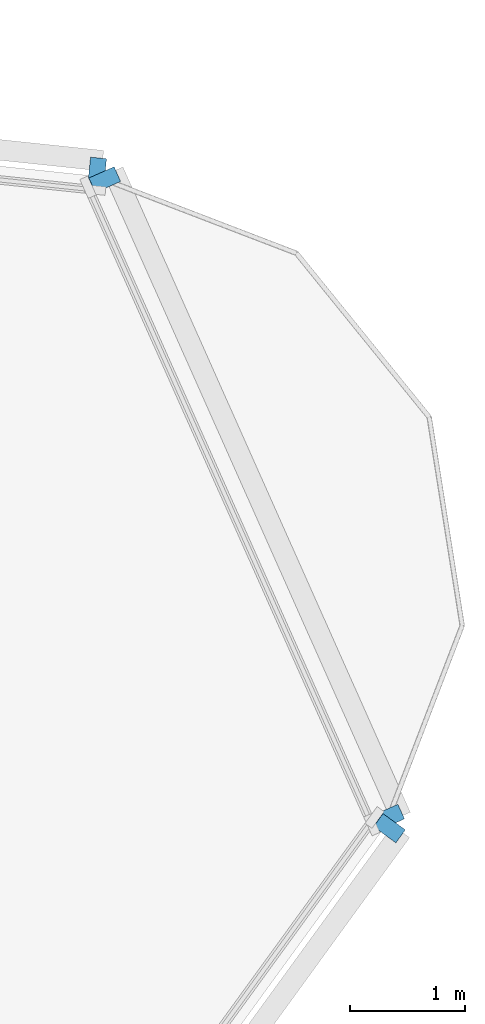
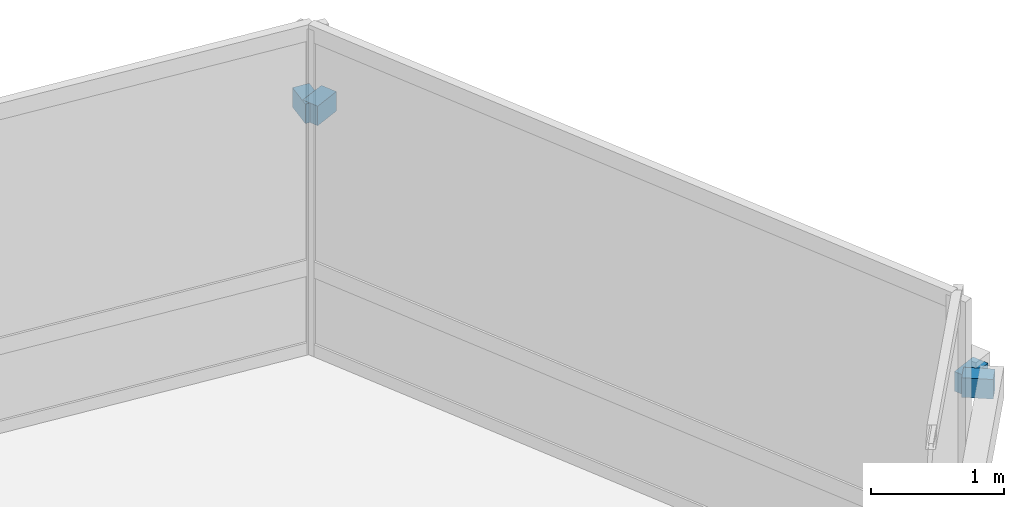
# One storey, part 11 of 14: 4 discrete accessories.
"""IFC4 building model written with IfcOpenShell, lengths in metres."""

from ifc_helpers import new_model, si_unit, direction, frame, origin, origin_2d, place, context, subcontext, project, spatial, rectangle, extrude, material, type_object, element, save


model = new_model("IFC4")

# Units and contexts
model_context = context("Model", 3, precision=1e-05, world=origin(), true_north=direction((0.0, 1.0)))
body_context = subcontext(model_context, "Body", "Model", "MODEL_VIEW")
ifc_project = project(units=[si_unit("LENGTHUNIT", "METRE"), si_unit("AREAUNIT", "SQUARE_METRE"), si_unit("VOLUMEUNIT", "CUBIC_METRE"), si_unit("PLANEANGLEUNIT", "RADIAN"), si_unit("MASSUNIT", "GRAM", prefix="KILO")], contexts=[model_context])

# Site, building, storey
site_placement = place(None, origin())
site = spatial("IfcSite", under=ifc_project, at=site_placement, CompositionType="ELEMENT")
building_placement = place(site_placement, origin())
building = spatial("IfcBuilding", under=site, at=building_placement, Name="Terralouvre Media Tower", CompositionType="ELEMENT")
storey_placement = place(building_placement, frame((0.0, 0.0, 218.89990234375)))
storey = spatial("IfcBuildingStorey", under=building, at=storey_placement, Name="L56", CompositionType="ELEMENT", Elevation=218.89990234375)

# Discrete accessories
ifc_material = material(Name="Anodised extruded aluminium 6063-T6", Category="aluminium")
discrete_accessory_type = type_object("IfcDiscreteAccessoryType", Name="Mullion Stand-Off Baguette Fixing Bracket BK-01", PredefinedType="BRACKET", material=ifc_material)
for number, where, z_axis, x_axis, name in (
    (1, (26.880615234375, 8.544189453125, 2.07421875), (0.0, 0.0, 1.0), (0.587785300879, 0.809016959074, 0.0), "CW-L56-F0 Baguette Outrigger Bracket 1.06"),
    (2, (24.336181640625, 14.259033203125, 2.07421875), (0.0, 0.0, 1.0), (-0.994521885028, 0.104528561651, 0.0), "CW-L56-F1 Baguette Outrigger Bracket 1.01"),
    (3, (26.873291015625, 8.640380859375, 2.07421875), (0.0, 0.0, 1.0), (-0.406737441315, 0.913545102243, 0.0), "CW-L56-C1 Baguette Outrigger Bracket 1.01"),
    (4, (24.40283203125, 14.189208984375, 2.07421875), (0.0, 0.0, 1.0), (-0.406737441315, 0.913545102243, 0.0), "CW-L56-C1 Baguette Outrigger Bracket 1.02"),
):
    element("IfcDiscreteAccessory", number, at=place(storey_placement, frame(where, z_axis=z_axis, x_axis=x_axis)), inside=storey, type_object=discrete_accessory_type, Name=name, PredefinedType="BRACKET", context=body_context, shape_type="SweptSolid", body=[
        extrude(rectangle(XDim=0.139892578125, YDim=0.239990234375, at=origin_2d()), origin(), (0.0, 0.0, 1.0), 0.179931640625),
    ])

save(model, "model.ifc")
